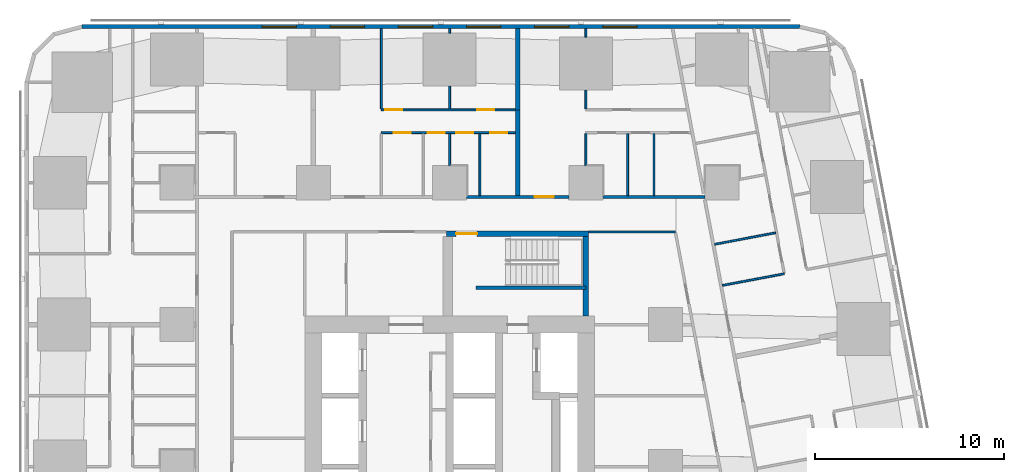
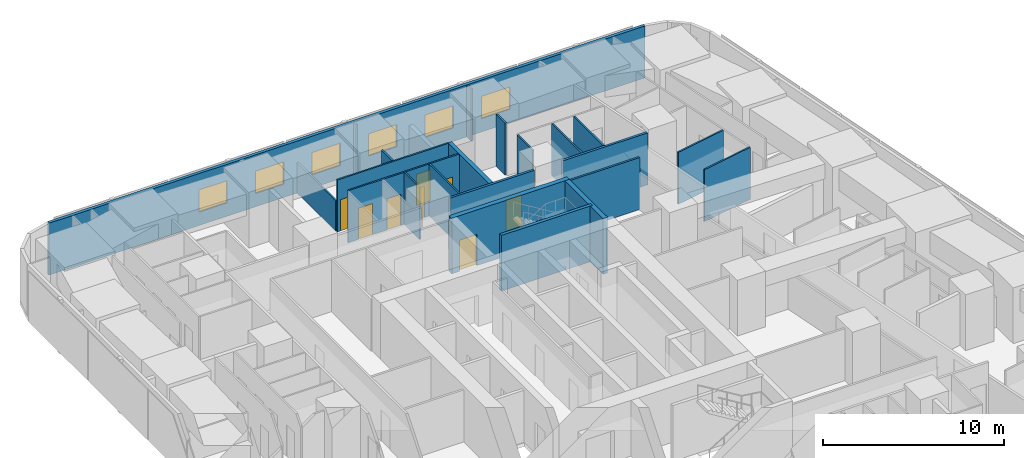
# One storey, part 12 of 18: 23 walls, 8 doors, 6 windows, 14 openings.
"""IFC4 building model written with IfcOpenShell, lengths in metres."""

from ifc_helpers import new_model, si_unit, direction, frame, frame_2d, origin, place, context, subcontext, project, spatial, rectangle, extrude, material, layer, layer_set, type_object, element, fill, save


model = new_model("IFC4")

# Units and contexts
model_context = context("Model", 3, precision=1e-05, world=origin(), true_north=direction((0.0, 1.0)))
body_context = subcontext(model_context, "Body", "Model", "MODEL_VIEW")
ifc_project = project(units=[si_unit("LENGTHUNIT", "METRE"), si_unit("AREAUNIT", "SQUARE_METRE"), si_unit("VOLUMEUNIT", "CUBIC_METRE"), si_unit("PLANEANGLEUNIT", "RADIAN"), si_unit("MASSUNIT", "GRAM", prefix="KILO")], contexts=[model_context])

# Site, building, storey
site_placement = place(None, origin())
site = spatial("IfcSite", under=ifc_project, at=site_placement, CompositionType="ELEMENT")
building_placement = place(site_placement, origin())
building = spatial("IfcBuilding", under=site, at=building_placement, Name="Sheger Commons Tower", CompositionType="ELEMENT")
storey_placement = place(building_placement, frame((0.0, 0.0, 35.0)))
storey = spatial("IfcBuildingStorey", under=building, at=storey_placement, Name="L08", CompositionType="ELEMENT", Elevation=35.0)

# Wall, opening, door
ifc_material_1 = material(Name="Hollow concrete block masonry, skimmed both sides", Category="masonry")
ifc_layer_1 = layer(ifc_material_1, 0.14990234375)
ifc_layer_set_1 = layer_set([ifc_layer_1], Name="CORRIDOR WALL 150")
wall_type_1 = type_object("IfcWallType", Name="CORRIDOR WALL 150", PredefinedType="SOLIDWALL", material=ifc_layer_set_1)
wall_1_placement = place(storey_placement, frame((22.5009765625, 36.75, 0.0), z_axis=(0.0, 0.0, 1.0), x_axis=(1.0, 0.0, 0.0)))
wall_1 = element("IfcWall", 1, at=wall_1_placement, inside=storey, type_object=wall_type_1, Name="Corridor wall L08", PredefinedType="SOLIDWALL", context=body_context, shape_type="SweptSolid", body=[
    extrude(rectangle(XDim=5.39794921875, YDim=0.14990234375, at=frame_2d((2.698974609375, 0.0))), origin(), (0.0, 0.0, 1.0), 3.5),
])
opening_1_placement = place(wall_1_placement, frame((3.59912109375, 0.0, 0.0)))
opening_1 = element("IfcOpeningElement", 2, at=opening_1_placement, cuts=wall_1, Name="Opening D1", PredefinedType="OPENING", context=body_context, shape_type="SweptSolid", body=[
    extrude(rectangle(XDim=1.0, YDim=2.10009765625, at=frame_2d((0.5, 1.050048828125))), frame((0.0, 0.0849609375, 0.0), z_axis=(0.0, -1.0, 0.0), x_axis=(1.0, 0.0, 0.0)), (0.0, 0.0, 1.0), 0.169921875),
])
ifc_material_2 = material(Name="Steel door set, fire rated", Category="steel")
door_type_1 = type_object("IfcDoorType", Name="FLAT ENTRANCE DOOR 1000x2100", OperationType="NOTDEFINED", PredefinedType="DOOR", material=ifc_material_2)
door_1_placement = place(opening_1_placement, origin())
door_1 = element("IfcDoor", 3, at=door_1_placement, inside=storey, type_object=door_type_1, Name="Flat entrance door", OperationType="SINGLE_SWING_RIGHT", OverallHeight=2.10009765625, OverallWidth=1.0, PredefinedType="DOOR", context=body_context, shape_type="SweptSolid", body=[
    extrude(rectangle(XDim=1.0, YDim=2.10009765625, at=frame_2d((0.5, 1.050048828125))), frame((0.0, 0.02490234375, 0.0), z_axis=(0.0, -1.0, 0.0), x_axis=(1.0, 0.0, 0.0)), (0.0, 0.0, 1.0), 0.050048828125),
])
fill(opening_1, door_1)

# Walls
wall_2_placement = place(storey_placement, frame((29.700927734375, 36.75, 0.0), z_axis=(0.0, 0.0, 1.0), x_axis=(1.0, 0.0, 0.0)))
element("IfcWall", 4, at=wall_2_placement, inside=storey, type_object=wall_type_1, Name="Corridor wall L08", PredefinedType="SOLIDWALL", context=body_context, shape_type="SweptSolid", body=[
    extrude(rectangle(XDim=5.399169921875, YDim=0.14990234375, at=frame_2d((2.69970703125, 0.0))), origin(), (0.0, 0.0, 1.0), 3.5),
])
ifc_material_3 = material(Name="Dense concrete block masonry, plastered both sides (separating wall between flats)", Category="masonry")
ifc_layer_2 = layer(ifc_material_3, 0.25)
ifc_layer_set_2 = layer_set([ifc_layer_2], Name="DEMISING WALL 250")
wall_type_2 = type_object("IfcWallType", Name="DEMISING WALL 250", PredefinedType="SOLIDWALL", material=ifc_layer_set_2)
wall_3_placement = place(storey_placement, frame((25.199951171875, 41.35009765625, 0.0), z_axis=(0.0, 0.0, 1.0), x_axis=(0.0, 1.0, 0.0)))
element("IfcWall", 5, at=wall_3_placement, inside=storey, type_object=wall_type_2, Name="Demising wall L08", PredefinedType="SOLIDWALL", context=body_context, shape_type="SweptSolid", body=[
    extrude(rectangle(XDim=4.2998046875, YDim=0.25, at=frame_2d((2.14990234375, 0.0))), origin(), (0.0, 0.0, 1.0), 2.050048828125),
])
wall_4_placement = place(storey_placement, frame((25.199951171875, 36.824951171875, 0.0), z_axis=(0.0, 0.0, 1.0), x_axis=(0.0, 1.0, 0.0)))
element("IfcWall", 6, at=wall_4_placement, inside=storey, type_object=wall_type_2, Name="Demising wall L08", PredefinedType="SOLIDWALL", context=body_context, shape_type="SweptSolid", body=[
    extrude(rectangle(XDim=4.525146484375, YDim=0.25, at=frame_2d((2.2626953125, 0.0))), origin(), (0.0, 0.0, 1.0), 3.5),
])

# Wall, openings, windows
ifc_material_4 = material(Name="Rendered concrete block masonry, dark grey", Category="masonry")
ifc_layer_3 = layer(ifc_material_4, 0.199951171875)
ifc_layer_set_3 = layer_set([ifc_layer_3], Name="FACADE WALL 200")
wall_type_3 = type_object("IfcWallType", Name="FACADE WALL 200", PredefinedType="SOLIDWALL", material=ifc_layer_set_3)
wall_5_placement = place(storey_placement, frame((40.10595703125, 45.75, 0.0), z_axis=(0.0, 0.0, 1.0), x_axis=(-1.0, 0.0, 0.0)))
wall_5 = element("IfcWall", 7, at=wall_5_placement, inside=storey, type_object=wall_type_3, Name="Facade wall L08", PredefinedType="SOLIDWALL", context=body_context, shape_type="SweptSolid", body=[
    extrude(rectangle(XDim=37.94287109375, YDim=0.199951171875, at=frame_2d((18.971435546875, 0.0))), origin(), (0.0, 0.0, 1.0), 3.5),
])
opening_2_placement = place(wall_5_placement, frame((8.60595703125, 0.0, 0.89990234375)))
opening_2 = element("IfcOpeningElement", 8, at=opening_2_placement, cuts=wall_5, Name="Opening W2", PredefinedType="OPENING", context=body_context, shape_type="SweptSolid", body=[
    extrude(rectangle(XDim=1.800048828125, YDim=1.5, at=frame_2d((0.89990234375, 0.75))), frame((0.0, 0.10986328125, 0.0), z_axis=(0.0, -1.0, 0.0), x_axis=(1.0, 0.0, 0.0)), (0.0, 0.0, 1.0), 0.219970703125),
])
opening_3_placement = place(wall_5_placement, frame((12.2060546875, 0.0, 0.89990234375)))
opening_3 = element("IfcOpeningElement", 9, at=opening_3_placement, cuts=wall_5, Name="Opening W2", PredefinedType="OPENING", context=body_context, shape_type="SweptSolid", body=[
    extrude(rectangle(XDim=1.800048828125, YDim=1.5, at=frame_2d((0.89990234375, 0.75))), frame((0.0, 0.10986328125, 0.0), z_axis=(0.0, -1.0, 0.0), x_axis=(1.0, 0.0, 0.0)), (0.0, 0.0, 1.0), 0.219970703125),
])
opening_4_placement = place(wall_5_placement, frame((15.805908203125, 0.0, 0.89990234375)))
opening_4 = element("IfcOpeningElement", 10, at=opening_4_placement, cuts=wall_5, Name="Opening W2", PredefinedType="OPENING", context=body_context, shape_type="SweptSolid", body=[
    extrude(rectangle(XDim=1.800048828125, YDim=1.5, at=frame_2d((0.89990234375, 0.75))), frame((0.0, 0.10986328125, 0.0), z_axis=(0.0, -1.0, 0.0), x_axis=(1.0, 0.0, 0.0)), (0.0, 0.0, 1.0), 0.219970703125),
])
opening_5_placement = place(wall_5_placement, frame((19.406005859375, 0.0, 0.89990234375)))
opening_5 = element("IfcOpeningElement", 11, at=opening_5_placement, cuts=wall_5, Name="Opening W2", PredefinedType="OPENING", context=body_context, shape_type="SweptSolid", body=[
    extrude(rectangle(XDim=1.800048828125, YDim=1.5, at=frame_2d((0.89990234375, 0.75))), frame((0.0, 0.10986328125, 0.0), z_axis=(0.0, -1.0, 0.0), x_axis=(1.0, 0.0, 0.0)), (0.0, 0.0, 1.0), 0.219970703125),
])
opening_6_placement = place(wall_5_placement, frame((23.006103515625, 0.0, 0.89990234375)))
opening_6 = element("IfcOpeningElement", 12, at=opening_6_placement, cuts=wall_5, Name="Opening W2", PredefinedType="OPENING", context=body_context, shape_type="SweptSolid", body=[
    extrude(rectangle(XDim=1.800048828125, YDim=1.5, at=frame_2d((0.89990234375, 0.75))), frame((0.0, 0.10986328125, 0.0), z_axis=(0.0, -1.0, 0.0), x_axis=(1.0, 0.0, 0.0)), (0.0, 0.0, 1.0), 0.219970703125),
])
opening_7_placement = place(wall_5_placement, frame((26.60595703125, 0.0, 0.89990234375)))
opening_7 = element("IfcOpeningElement", 13, at=opening_7_placement, cuts=wall_5, Name="Opening W2", PredefinedType="OPENING", context=body_context, shape_type="SweptSolid", body=[
    extrude(rectangle(XDim=1.800048828125, YDim=1.5, at=frame_2d((0.89990234375, 0.75))), frame((0.0, 0.10986328125, 0.0), z_axis=(0.0, -1.0, 0.0), x_axis=(1.0, 0.0, 0.0)), (0.0, 0.0, 1.0), 0.219970703125),
])
ifc_material_5 = material(Name="Black aluminium frame, dark tinted double glazing", Category="aluminium")
window_type = type_object("IfcWindowType", Name="WINDOW W2 1800x1500", PartitioningType="SINGLE_PANEL", PredefinedType="WINDOW", material=ifc_material_5)
window_1_placement = place(opening_2_placement, origin())
window_1 = element("IfcWindow", 14, at=window_1_placement, inside=storey, type_object=window_type, Name="Window W2 1800X1500", OverallHeight=1.5, OverallWidth=1.800048828125, PartitioningType="SINGLE_PANEL", PredefinedType="WINDOW", context=body_context, shape_type="SweptSolid", body=[
    extrude(rectangle(XDim=1.800048828125, YDim=1.5, at=frame_2d((0.89990234375, 0.75))), frame((0.0, 0.030029296875, 0.0), z_axis=(0.0, -1.0, 0.0), x_axis=(1.0, 0.0, 0.0)), (0.0, 0.0, 1.0), 0.06005859375),
])
fill(opening_2, window_1)
window_2_placement = place(opening_3_placement, origin())
window_2 = element("IfcWindow", 15, at=window_2_placement, inside=storey, type_object=window_type, Name="Window W2 1800X1500", OverallHeight=1.5, OverallWidth=1.800048828125, PartitioningType="SINGLE_PANEL", PredefinedType="WINDOW", context=body_context, shape_type="SweptSolid", body=[
    extrude(rectangle(XDim=1.800048828125, YDim=1.5, at=frame_2d((0.89990234375, 0.75))), frame((0.0, 0.030029296875, 0.0), z_axis=(0.0, -1.0, 0.0), x_axis=(1.0, 0.0, 0.0)), (0.0, 0.0, 1.0), 0.06005859375),
])
fill(opening_3, window_2)
window_3_placement = place(opening_4_placement, origin())
window_3 = element("IfcWindow", 16, at=window_3_placement, inside=storey, type_object=window_type, Name="Window W2 1800X1500", OverallHeight=1.5, OverallWidth=1.800048828125, PartitioningType="SINGLE_PANEL", PredefinedType="WINDOW", context=body_context, shape_type="SweptSolid", body=[
    extrude(rectangle(XDim=1.800048828125, YDim=1.5, at=frame_2d((0.89990234375, 0.75))), frame((0.0, 0.030029296875, 0.0), z_axis=(0.0, -1.0, 0.0), x_axis=(1.0, 0.0, 0.0)), (0.0, 0.0, 1.0), 0.06005859375),
])
fill(opening_4, window_3)
window_4_placement = place(opening_5_placement, origin())
window_4 = element("IfcWindow", 17, at=window_4_placement, inside=storey, type_object=window_type, Name="Window W2 1800X1500", OverallHeight=1.5, OverallWidth=1.800048828125, PartitioningType="SINGLE_PANEL", PredefinedType="WINDOW", context=body_context, shape_type="SweptSolid", body=[
    extrude(rectangle(XDim=1.800048828125, YDim=1.5, at=frame_2d((0.89990234375, 0.75))), frame((0.0, 0.030029296875, 0.0), z_axis=(0.0, -1.0, 0.0), x_axis=(1.0, 0.0, 0.0)), (0.0, 0.0, 1.0), 0.06005859375),
])
fill(opening_5, window_4)
window_5_placement = place(opening_6_placement, origin())
window_5 = element("IfcWindow", 18, at=window_5_placement, inside=storey, type_object=window_type, Name="Window W2 1800X1500", OverallHeight=1.5, OverallWidth=1.800048828125, PartitioningType="SINGLE_PANEL", PredefinedType="WINDOW", context=body_context, shape_type="SweptSolid", body=[
    extrude(rectangle(XDim=1.800048828125, YDim=1.5, at=frame_2d((0.89990234375, 0.75))), frame((0.0, 0.030029296875, 0.0), z_axis=(0.0, -1.0, 0.0), x_axis=(1.0, 0.0, 0.0)), (0.0, 0.0, 1.0), 0.06005859375),
])
fill(opening_6, window_5)
window_6_placement = place(opening_7_placement, origin())
window_6 = element("IfcWindow", 19, at=window_6_placement, inside=storey, type_object=window_type, Name="Window W2 1800X1500", OverallHeight=1.5, OverallWidth=1.800048828125, PartitioningType="SINGLE_PANEL", PredefinedType="WINDOW", context=body_context, shape_type="SweptSolid", body=[
    extrude(rectangle(XDim=1.800048828125, YDim=1.5, at=frame_2d((0.89990234375, 0.75))), frame((0.0, 0.030029296875, 0.0), z_axis=(0.0, -1.0, 0.0), x_axis=(1.0, 0.0, 0.0)), (0.0, 0.0, 1.0), 0.06005859375),
])
fill(opening_7, window_6)

# Walls
ifc_material_6 = material(Name="Gypsum board on steel studs", Category="steel")
ifc_layer_4 = layer(ifc_material_6, 0.10009765625)
ifc_layer_set_4 = layer_set([ifc_layer_4], Name="PARTITION 100")
wall_type_4 = type_object("IfcWallType", Name="PARTITION 100", PredefinedType="PARTITIONING", material=ifc_layer_set_4)
wall_6_placement = place(storey_placement, frame((39.2890625, 32.69189453125, 0.0), z_axis=(0.0, 0.0, 1.0), x_axis=(-0.982633623707, -0.185556356831, 0.0)))
element("IfcWall", 20, at=wall_6_placement, inside=storey, type_object=wall_type_4, Name="Partition L08", PredefinedType="PARTITIONING", context=body_context, shape_type="SweptSolid", body=[
    extrude(rectangle(XDim=3.324951171875, YDim=0.10009765625, at=frame_2d((1.66259765625, 0.0))), origin(), (0.0, 0.0, 1.0), 3.5),
])
wall_7_placement = place(storey_placement, frame((38.8291015625, 34.85498046875, 0.0), z_axis=(0.0, 0.0, 1.0), x_axis=(-0.982610347627, -0.185679575441, 0.0)))
element("IfcWall", 21, at=wall_7_placement, inside=storey, type_object=wall_type_4, Name="Partition L08", PredefinedType="PARTITIONING", context=body_context, shape_type="SweptSolid", body=[
    extrude(rectangle(XDim=3.27392578125, YDim=0.10009765625, at=frame_2d((1.636962890625, 0.0))), origin(), (0.0, 0.0, 1.0), 3.5),
])

# Wall, openings, doors
wall_8_placement = place(storey_placement, frame((18.0, 41.35009765625, 0.0), z_axis=(0.0, 0.0, 1.0), x_axis=(1.0, 0.0, 0.0)))
wall_8 = element("IfcWall", 22, at=wall_8_placement, inside=storey, type_object=wall_type_4, Name="Partition L08", PredefinedType="PARTITIONING", context=body_context, shape_type="SweptSolid", body=[
    extrude(rectangle(XDim=7.074951171875, YDim=0.10009765625, at=frame_2d((3.53759765625, 0.0))), origin(), (0.0, 0.0, 1.0), 3.5),
])
opening_8_placement = place(wall_8_placement, frame((0.199951171875, 0.0, 0.0)))
opening_8 = element("IfcOpeningElement", 23, at=opening_8_placement, cuts=wall_8, Name="Opening D2", PredefinedType="OPENING", context=body_context, shape_type="SweptSolid", body=[
    extrude(rectangle(XDim=0.89990234375, YDim=2.10009765625, at=frame_2d((0.449951171875, 1.050048828125))), frame((0.0, 0.06005859375, 0.0), z_axis=(0.0, -1.0, 0.0), x_axis=(1.0, 0.0, 0.0)), (0.0, 0.0, 1.0), 0.1201171875),
])
opening_9_placement = place(wall_8_placement, frame((5.050048828125, 0.0, 0.0)))
opening_9 = element("IfcOpeningElement", 24, at=opening_9_placement, cuts=wall_8, Name="Opening D2", PredefinedType="OPENING", context=body_context, shape_type="SweptSolid", body=[
    extrude(rectangle(XDim=0.89990234375, YDim=2.10009765625, at=frame_2d((0.449951171875, 1.050048828125))), frame((0.0, 0.06005859375, 0.0), z_axis=(0.0, -1.0, 0.0), x_axis=(1.0, 0.0, 0.0)), (0.0, 0.0, 1.0), 0.1201171875),
])
ifc_material_7 = material(Name="Timber door set", Category="wood")
door_type_2 = type_object("IfcDoorType", Name="INTERNAL DOOR 900x2100", OperationType="NOTDEFINED", PredefinedType="DOOR", material=ifc_material_7)
door_2_placement = place(opening_8_placement, origin())
door_2 = element("IfcDoor", 25, at=door_2_placement, inside=storey, type_object=door_type_2, Name="Main bedroom door", OperationType="SINGLE_SWING_LEFT", OverallHeight=2.10009765625, OverallWidth=0.89990234375, PredefinedType="DOOR", context=body_context, shape_type="SweptSolid", body=[
    extrude(rectangle(XDim=0.89990234375, YDim=2.10009765625, at=frame_2d((0.449951171875, 1.050048828125))), frame((0.0, 0.02490234375, 0.0), z_axis=(0.0, -1.0, 0.0), x_axis=(1.0, 0.0, 0.0)), (0.0, 0.0, 1.0), 0.050048828125),
])
fill(opening_8, door_2)
door_3_placement = place(opening_9_placement, origin())
door_3 = element("IfcDoor", 26, at=door_3_placement, inside=storey, type_object=door_type_2, Name="Bedroom 2 door", OperationType="SINGLE_SWING_RIGHT", OverallHeight=2.10009765625, OverallWidth=0.89990234375, PredefinedType="DOOR", context=body_context, shape_type="SweptSolid", body=[
    extrude(rectangle(XDim=0.89990234375, YDim=2.10009765625, at=frame_2d((0.449951171875, 1.050048828125))), frame((0.0, 0.02490234375, 0.0), z_axis=(0.0, -1.0, 0.0), x_axis=(1.0, 0.0, 0.0)), (0.0, 0.0, 1.0), 0.050048828125),
])
fill(opening_9, door_3)

wall_9_placement = place(storey_placement, frame((18.0, 40.14990234375, 0.0), z_axis=(0.0, 0.0, 1.0), x_axis=(1.0, 0.0, 0.0)))
wall_9 = element("IfcWall", 27, at=wall_9_placement, inside=storey, type_object=wall_type_4, Name="Partition L08", PredefinedType="PARTITIONING", context=body_context, shape_type="SweptSolid", body=[
    extrude(rectangle(XDim=7.074951171875, YDim=0.10009765625, at=frame_2d((3.53759765625, 0.0))), origin(), (0.0, 0.0, 1.0), 3.5),
])
opening_10_placement = place(wall_9_placement, frame((0.655029296875, 0.0, 0.0)))
opening_10 = element("IfcOpeningElement", 28, at=opening_10_placement, cuts=wall_9, Name="Opening D2", PredefinedType="OPENING", context=body_context, shape_type="SweptSolid", body=[
    extrude(rectangle(XDim=0.89990234375, YDim=2.10009765625, at=frame_2d((0.449951171875, 1.050048828125))), frame((0.0, 0.06005859375, 0.0), z_axis=(0.0, -1.0, 0.0), x_axis=(1.0, 0.0, 0.0)), (0.0, 0.0, 1.0), 0.1201171875),
])
opening_11_placement = place(wall_9_placement, frame((3.949951171875, 0.0, 0.0)))
opening_11 = element("IfcOpeningElement", 29, at=opening_11_placement, cuts=wall_9, Name="Opening D2", PredefinedType="OPENING", context=body_context, shape_type="SweptSolid", body=[
    extrude(rectangle(XDim=0.89990234375, YDim=2.10009765625, at=frame_2d((0.449951171875, 1.050048828125))), frame((0.0, 0.06005859375, 0.0), z_axis=(0.0, -1.0, 0.0), x_axis=(1.0, 0.0, 0.0)), (0.0, 0.0, 1.0), 0.1201171875),
])
opening_12_placement = place(wall_9_placement, frame((2.455078125, 0.0, 0.0)))
opening_12 = element("IfcOpeningElement", 30, at=opening_12_placement, cuts=wall_9, Name="Opening D2", PredefinedType="OPENING", context=body_context, shape_type="SweptSolid", body=[
    extrude(rectangle(XDim=0.89990234375, YDim=2.10009765625, at=frame_2d((0.449951171875, 1.050048828125))), frame((0.0, 0.06005859375, 0.0), z_axis=(0.0, -1.0, 0.0), x_axis=(1.0, 0.0, 0.0)), (0.0, 0.0, 1.0), 0.1201171875),
])
opening_13_placement = place(wall_9_placement, frame((5.75, 0.0, 0.0)))
opening_13 = element("IfcOpeningElement", 31, at=opening_13_placement, cuts=wall_9, Name="Opening D2", PredefinedType="OPENING", context=body_context, shape_type="SweptSolid", body=[
    extrude(rectangle(XDim=0.89990234375, YDim=2.10009765625, at=frame_2d((0.449951171875, 1.050048828125))), frame((0.0, 0.06005859375, 0.0), z_axis=(0.0, -1.0, 0.0), x_axis=(1.0, 0.0, 0.0)), (0.0, 0.0, 1.0), 0.1201171875),
])
door_4_placement = place(opening_10_placement, origin())
door_4 = element("IfcDoor", 32, at=door_4_placement, inside=storey, type_object=door_type_2, Name="Bathroom door", OperationType="SINGLE_SWING_RIGHT", OverallHeight=2.10009765625, OverallWidth=0.89990234375, PredefinedType="DOOR", context=body_context, shape_type="SweptSolid", body=[
    extrude(rectangle(XDim=0.89990234375, YDim=2.10009765625, at=frame_2d((0.449951171875, 1.050048828125))), frame((0.0, 0.02490234375, 0.0), z_axis=(0.0, -1.0, 0.0), x_axis=(1.0, 0.0, 0.0)), (0.0, 0.0, 1.0), 0.050048828125),
])
fill(opening_10, door_4)
door_5_placement = place(opening_11_placement, origin())
door_5 = element("IfcDoor", 33, at=door_5_placement, inside=storey, type_object=door_type_2, Name="Shower room door", OperationType="SINGLE_SWING_RIGHT", OverallHeight=2.10009765625, OverallWidth=0.89990234375, PredefinedType="DOOR", context=body_context, shape_type="SweptSolid", body=[
    extrude(rectangle(XDim=0.89990234375, YDim=2.10009765625, at=frame_2d((0.449951171875, 1.050048828125))), frame((0.0, 0.02490234375, 0.0), z_axis=(0.0, -1.0, 0.0), x_axis=(1.0, 0.0, 0.0)), (0.0, 0.0, 1.0), 0.050048828125),
])
fill(opening_11, door_5)
door_6_placement = place(opening_12_placement, origin())
door_6 = element("IfcDoor", 34, at=door_6_placement, inside=storey, type_object=door_type_2, Name="Store door", OperationType="SINGLE_SWING_RIGHT", OverallHeight=2.10009765625, OverallWidth=0.89990234375, PredefinedType="DOOR", context=body_context, shape_type="SweptSolid", body=[
    extrude(rectangle(XDim=0.89990234375, YDim=2.10009765625, at=frame_2d((0.449951171875, 1.050048828125))), frame((0.0, 0.02490234375, 0.0), z_axis=(0.0, -1.0, 0.0), x_axis=(1.0, 0.0, 0.0)), (0.0, 0.0, 1.0), 0.050048828125),
])
fill(opening_12, door_6)
door_7_placement = place(opening_13_placement, origin())
door_7 = element("IfcDoor", 35, at=door_7_placement, inside=storey, type_object=door_type_2, Name="Store door", OperationType="SINGLE_SWING_LEFT", OverallHeight=2.10009765625, OverallWidth=0.89990234375, PredefinedType="DOOR", context=body_context, shape_type="SweptSolid", body=[
    extrude(rectangle(XDim=0.89990234375, YDim=2.10009765625, at=frame_2d((0.449951171875, 1.050048828125))), frame((0.0, 0.02490234375, 0.0), z_axis=(0.0, -1.0, 0.0), x_axis=(1.0, 0.0, 0.0)), (0.0, 0.0, 1.0), 0.050048828125),
])
fill(opening_13, door_7)

# Walls
wall_10_placement = place(storey_placement, frame((18.0, 41.39990234375, 0.0), z_axis=(0.0, 0.0, 1.0), x_axis=(0.0, 1.0, 0.0)))
element("IfcWall", 36, at=wall_10_placement, inside=storey, type_object=wall_type_4, Name="Partition L08", PredefinedType="PARTITIONING", context=body_context, shape_type="SweptSolid", body=[
    extrude(rectangle(XDim=4.25, YDim=0.10009765625, at=frame_2d((2.125, 0.0))), origin(), (0.0, 0.0, 1.0), 2.050048828125),
])
wall_11_placement = place(storey_placement, frame((21.60009765625, 41.39990234375, 0.0), z_axis=(0.0, 0.0, 1.0), x_axis=(0.0, 1.0, 0.0)))
element("IfcWall", 37, at=wall_11_placement, inside=storey, type_object=wall_type_4, Name="Partition L08", PredefinedType="PARTITIONING", context=body_context, shape_type="SweptSolid", body=[
    extrude(rectangle(XDim=1.19921875, YDim=0.10009765625, at=frame_2d((0.599609375, 0.0))), origin(), (0.0, 0.0, 1.0), 3.5),
])
wall_12_placement = place(storey_placement, frame((21.60009765625, 45.40087890625, 0.0), z_axis=(0.0, 0.0, 1.0), x_axis=(0.0, 1.0, 0.0)))
element("IfcWall", 38, at=wall_12_placement, inside=storey, type_object=wall_type_4, Name="Partition L08", PredefinedType="PARTITIONING", context=body_context, shape_type="SweptSolid", body=[
    extrude(rectangle(XDim=0.2490234375, YDim=0.10009765625, at=frame_2d((0.12451171875, 0.0))), origin(), (0.0, 0.0, 1.0), 3.5),
])
wall_13_placement = place(storey_placement, frame((21.60009765625, 38.40087890625, 0.0), z_axis=(0.0, 0.0, 1.0), x_axis=(0.0, 1.0, 0.0)))
element("IfcWall", 39, at=wall_13_placement, inside=storey, type_object=wall_type_4, Name="Partition L08", PredefinedType="PARTITIONING", context=body_context, shape_type="SweptSolid", body=[
    extrude(rectangle(XDim=1.69921875, YDim=0.10009765625, at=frame_2d((0.849609375, 0.0))), origin(), (0.0, 0.0, 1.0), 3.5),
])
wall_14_placement = place(storey_placement, frame((23.199951171875, 36.824951171875, 0.0), z_axis=(0.0, 0.0, 1.0), x_axis=(0.0, 1.0, 0.0)))
element("IfcWall", 40, at=wall_14_placement, inside=storey, type_object=wall_type_4, Name="Partition L08", PredefinedType="PARTITIONING", context=body_context, shape_type="SweptSolid", body=[
    extrude(rectangle(XDim=3.275146484375, YDim=0.10009765625, at=frame_2d((1.6376953125, 0.0))), origin(), (0.0, 0.0, 1.0), 3.5),
])
wall_15_placement = place(storey_placement, frame((28.800048828125, 41.39990234375, 0.0), z_axis=(0.0, 0.0, 1.0), x_axis=(0.0, 1.0, 0.0)))
element("IfcWall", 41, at=wall_15_placement, inside=storey, type_object=wall_type_4, Name="Partition L08", PredefinedType="PARTITIONING", context=body_context, shape_type="SweptSolid", body=[
    extrude(rectangle(XDim=0.9990234375, YDim=0.10009765625, at=frame_2d((0.49951171875, 0.0))), origin(), (0.0, 0.0, 1.0), 3.5),
])
wall_16_placement = place(storey_placement, frame((28.800048828125, 45.200927734375, 0.0), z_axis=(0.0, 0.0, 1.0), x_axis=(0.0, 1.0, 0.0)))
element("IfcWall", 42, at=wall_16_placement, inside=storey, type_object=wall_type_4, Name="Partition L08", PredefinedType="PARTITIONING", context=body_context, shape_type="SweptSolid", body=[
    extrude(rectangle(XDim=0.448974609375, YDim=0.10009765625, at=frame_2d((0.224609375, 0.0))), origin(), (0.0, 0.0, 1.0), 3.5),
])
wall_17_placement = place(storey_placement, frame((28.800048828125, 38.40087890625, 0.0), z_axis=(0.0, 0.0, 1.0), x_axis=(0.0, 1.0, 0.0)))
element("IfcWall", 43, at=wall_17_placement, inside=storey, type_object=wall_type_4, Name="Partition L08", PredefinedType="PARTITIONING", context=body_context, shape_type="SweptSolid", body=[
    extrude(rectangle(XDim=1.69921875, YDim=0.10009765625, at=frame_2d((0.849609375, 0.0))), origin(), (0.0, 0.0, 1.0), 3.5),
])
for number, where, z_axis, x_axis, name in (
    (44, (32.39990234375, 36.824951171875, 0.0), (0.0, 0.0, 1.0), (0.0, 1.0, 0.0), "Partition L08"),
    (45, (31.010009765625, 36.824951171875, 0.0), (0.0, 0.0, 1.0), (0.0, 1.0, 0.0), "Partition L08"),
):
    element("IfcWall", number, at=place(storey_placement, frame(where, z_axis=z_axis, x_axis=x_axis)), inside=storey, type_object=wall_type_4, Name=name, PredefinedType="PARTITIONING", context=body_context, shape_type="SweptSolid", body=[
        extrude(rectangle(XDim=3.275146484375, YDim=0.10009765625, at=frame_2d((1.6376953125, 0.0))), origin(), (0.0, 0.0, 1.0), 3.5),
    ])
ifc_material_8 = material(Name="Gypsum board on steel studs, two layers each side, fire rated", Category="steel")
ifc_layer_5 = layer(ifc_material_8, 0.125)
ifc_layer_set_5 = layer_set([ifc_layer_5], Name="SERVICE WALL 125")
wall_type_5 = type_object("IfcWallType", Name="SERVICE WALL 125", PredefinedType="PARTITIONING", material=ifc_layer_set_5)
wall_18_placement = place(storey_placement, frame((28.949951171875, 34.89990234375, 0.0), z_axis=(0.0, 0.0, 1.0), x_axis=(1.0, 0.0, 0.0)))
element("IfcWall", 46, at=wall_18_placement, inside=storey, type_object=wall_type_5, Name="Service room wall L08", PredefinedType="PARTITIONING", context=body_context, shape_type="SweptSolid", body=[
    extrude(rectangle(XDim=4.588134765625, YDim=0.125, at=frame_2d((2.2939453125, 0.0))), origin(), (0.0, 0.0, 1.0), 3.5),
])

# Wall, opening, door
ifc_material_9 = material(Name="Concrete C50/60", Category="concrete")
ifc_layer_6 = layer(ifc_material_9, 0.300048828125)
ifc_layer_set_6 = layer_set([ifc_layer_6], Name="STAIR CORE WALL 300")
wall_type_6 = type_object("IfcWallType", Name="STAIR CORE WALL 300", PredefinedType="SHEAR", material=ifc_layer_set_6)
wall_19_placement = place(storey_placement, frame((21.449951171875, 34.800048828125, 0.0), z_axis=(0.0, 0.0, 1.0), x_axis=(1.0, 0.0, 0.0)))
wall_19 = element("IfcWall", 47, at=wall_19_placement, inside=storey, type_object=wall_type_6, Name="STW-L08-S2N", PredefinedType="SHEAR", context=body_context, shape_type="SweptSolid", body=[
    extrude(rectangle(XDim=7.5, YDim=0.300048828125, at=frame_2d((3.75, 0.0))), origin(), (0.0, 0.0, 1.0), 3.75),
])
opening_14_placement = place(wall_19_placement, frame((0.5, 0.0, 0.0)))
opening_14 = element("IfcOpeningElement", 48, at=opening_14_placement, cuts=wall_19, Name="Opening D5", PredefinedType="OPENING", context=body_context, shape_type="SweptSolid", body=[
    extrude(rectangle(XDim=1.10009765625, YDim=2.10009765625, at=frame_2d((0.550048828125, 1.050048828125))), frame((0.0, 0.159912109375, 0.0), z_axis=(0.0, -1.0, 0.0), x_axis=(1.0, 0.0, 0.0)), (0.0, 0.0, 1.0), 0.320068359375),
])
ifc_material_10 = material(Name="Steel door set, fire rated", Category="steel")
door_type_3 = type_object("IfcDoorType", Name="STAIR DOOR 1100x2100", OperationType="NOTDEFINED", PredefinedType="DOOR", material=ifc_material_10)
door_8_placement = place(opening_14_placement, origin())
door_8 = element("IfcDoor", 49, at=door_8_placement, inside=storey, type_object=door_type_3, Name="Stair S2 door", OperationType="SINGLE_SWING_RIGHT", OverallHeight=2.10009765625, OverallWidth=1.10009765625, PredefinedType="DOOR", context=body_context, shape_type="SweptSolid", body=[
    extrude(rectangle(XDim=1.10009765625, YDim=2.10009765625, at=frame_2d((0.550048828125, 1.050048828125))), frame((0.0, 0.02490234375, 0.0), z_axis=(0.0, -1.0, 0.0), x_axis=(1.0, 0.0, 0.0)), (0.0, 0.0, 1.0), 0.050048828125),
])
fill(opening_14, door_8)

# Walls
wall_20_placement = place(storey_placement, frame((28.800048828125, 30.449951171875, 0.0), z_axis=(0.0, 0.0, 1.0), x_axis=(0.0, 1.0, 0.0)))
element("IfcWall", 50, at=wall_20_placement, inside=storey, type_object=wall_type_6, Name="STW-L08-S2E", PredefinedType="SHEAR", context=body_context, shape_type="SweptSolid", body=[
    extrude(rectangle(XDim=4.199951171875, YDim=0.300048828125, at=frame_2d((2.10009765625, 0.0))), origin(), (0.0, 0.0, 1.0), 3.75),
])
ifc_material_11 = material(Name="Concrete C50/60", Category="concrete")
ifc_layer_7 = layer(ifc_material_11, 0.199951171875)
ifc_layer_set_7 = layer_set([ifc_layer_7], Name="STAIR SPINE WALL 200")
wall_type_7 = type_object("IfcWallType", Name="STAIR SPINE WALL 200", PredefinedType="SHEAR", material=ifc_layer_set_7)
wall_21_placement = place(storey_placement, frame((23.0, 31.949951171875, 0.0), z_axis=(0.0, 0.0, 1.0), x_axis=(1.0, 0.0, 0.0)))
element("IfcWall", 51, at=wall_21_placement, inside=storey, type_object=wall_type_7, Name="Stair spine wall L08", PredefinedType="SHEAR", context=body_context, shape_type="SweptSolid", body=[
    extrude(rectangle(XDim=5.800048828125, YDim=0.199951171875, at=frame_2d((2.89990234375, 0.0))), origin(), (0.0, 0.0, 1.0), 3.75),
])

save(model, "model.ifc")
